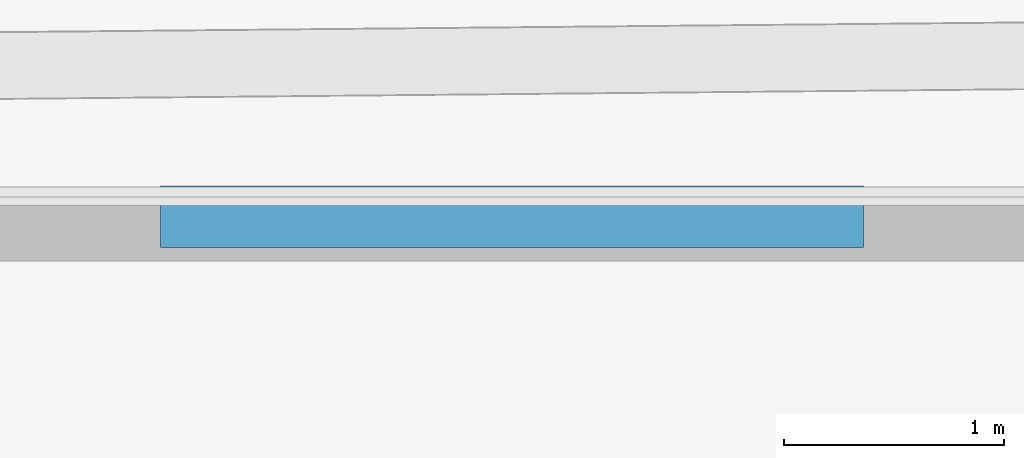
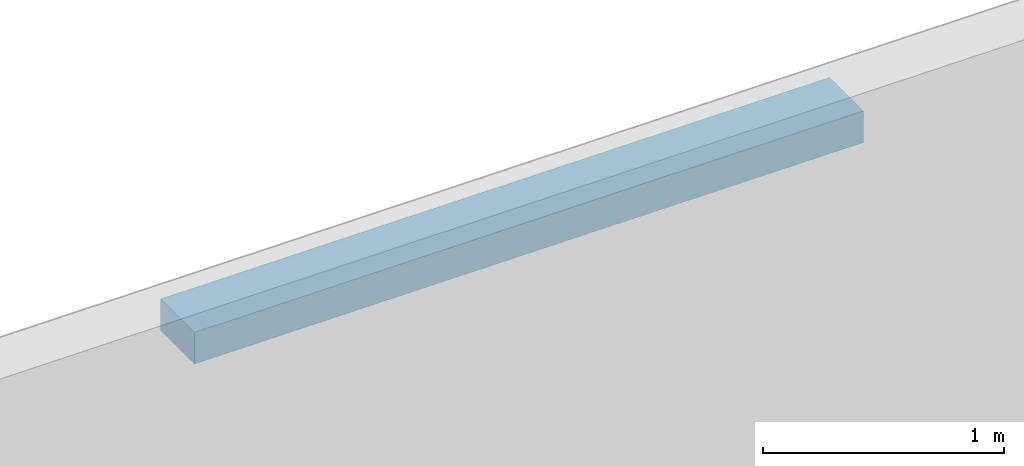
# One storey, part 13 of 15: 1 discrete accessory.
"""IFC4 building model written with IfcOpenShell, lengths in metres."""

from ifc_helpers import new_model, si_unit, direction, frame, origin, origin_2d, place, context, subcontext, project, spatial, rectangle, extrude, material, type_object, element, save


model = new_model("IFC4")

# Units and contexts
model_context = context("Model", 3, precision=1e-05, world=origin(), true_north=direction((0.0, 1.0)))
body_context = subcontext(model_context, "Body", "Model", "MODEL_VIEW")
ifc_project = project(units=[si_unit("LENGTHUNIT", "METRE"), si_unit("AREAUNIT", "SQUARE_METRE"), si_unit("VOLUMEUNIT", "CUBIC_METRE"), si_unit("PLANEANGLEUNIT", "RADIAN"), si_unit("MASSUNIT", "GRAM", prefix="KILO")], contexts=[model_context])

# Site, building, storey
site_placement = place(None, origin())
site = spatial("IfcSite", under=ifc_project, at=site_placement, CompositionType="ELEMENT")
building_placement = place(site_placement, origin())
building = spatial("IfcBuilding", under=site, at=building_placement, Name="Caelvoria Tower", CompositionType="ELEMENT")
storey_placement = place(building_placement, frame((0.0, 0.0, 167.199951171875)))
storey = spatial("IfcBuildingStorey", under=building, at=storey_placement, Name="L44", CompositionType="ELEMENT", Elevation=167.199951171875)

# Discrete accessory
ifc_material = material(Name="Anodised Bronze Stainless Bracket", Category="bronze")
discrete_accessory_type = type_object("IfcDiscreteAccessoryType", Name="Solar Screen Outrigger Support Bracket", PredefinedType="BRACKET", material=ifc_material)
discrete_accessory_placement = place(storey_placement, frame((58.85498046875, 52.25146484375, 4.18017578125), z_axis=(0.0, 0.0, 1.0), x_axis=(-1.0, 0.0, 0.0)))
element("IfcDiscreteAccessory", 1, at=discrete_accessory_placement, inside=storey, type_object=discrete_accessory_type, Name="Upper Screen Band Bracket L44-E4-00", PredefinedType="BRACKET", context=body_context, shape_type="SweptSolid", body=[
    extrude(rectangle(XDim=3.199951171875, YDim=0.280029296875, at=origin_2d()), origin(), (0.0, 0.0, 1.0), 0.159912109375),
])

save(model, "model.ifc")
